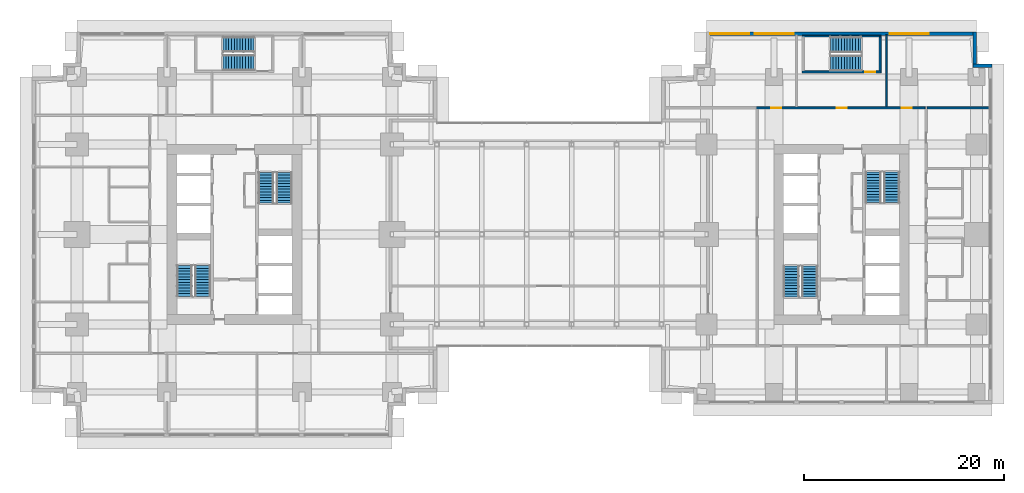
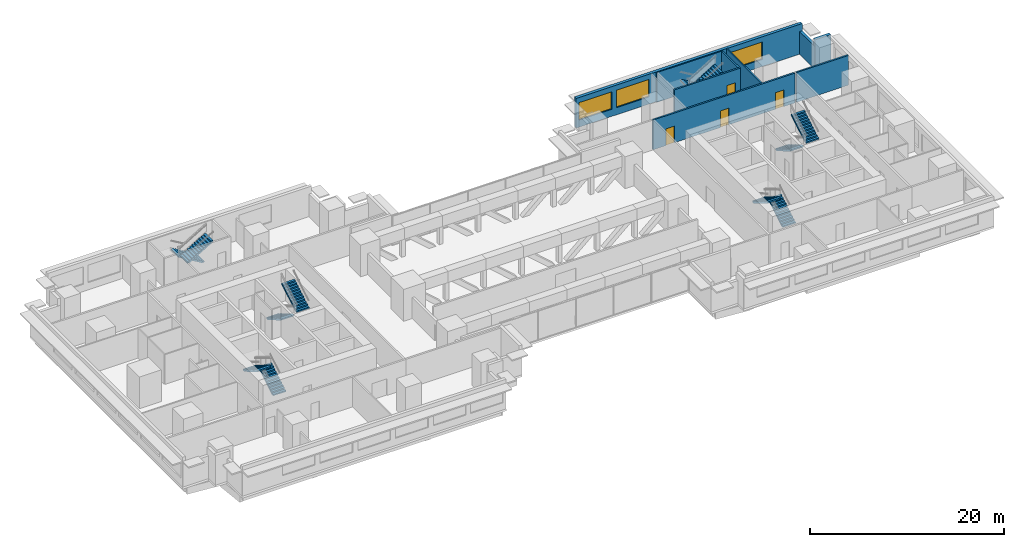
# One storey, part 12 of 15: 12 stair flights, 9 walls, 4 doors, 3 windows, 7 openings, 6 elements without a shape of their own.
"""IFC4 building model written with IfcOpenShell, lengths in metres."""

from ifc_helpers import new_model, si_unit, direction, frame, frame_2d, origin, place, context, subcontext, project, spatial, polyline, rectangle, outline, extrude, material, layer, layer_set, type_object, element, fill, aggregate, save


model = new_model("IFC4")

# Units and contexts
model_context = context("Model", 3, precision=1e-05, world=origin(), true_north=direction((0.0, 1.0)))
body_context = subcontext(model_context, "Body", "Model", "MODEL_VIEW")
ifc_project = project(units=[si_unit("LENGTHUNIT", "METRE"), si_unit("AREAUNIT", "SQUARE_METRE"), si_unit("VOLUMEUNIT", "CUBIC_METRE"), si_unit("PLANEANGLEUNIT", "RADIAN"), si_unit("MASSUNIT", "GRAM", prefix="KILO")], contexts=[model_context])

# Site, building, storey
site_placement = place(None, origin())
site = spatial("IfcSite", under=ifc_project, at=site_placement, CompositionType="ELEMENT")
building_placement = place(site_placement, origin())
building = spatial("IfcBuilding", under=site, at=building_placement, Name="Namib Vertical Campus", CompositionType="ELEMENT")
storey_placement = place(building_placement, frame((0.0, 0.0, 105.0)))
storey = spatial("IfcBuildingStorey", under=building, at=storey_placement, Name="L24", CompositionType="ELEMENT", Elevation=105.0)

# Wall, openings, doors
ifc_material_1 = material(Name="Concrete masonry", Category="masonry")
ifc_layer_1 = layer(ifc_material_1, 0.199951171875)
ifc_layer_set_1 = layer_set([ifc_layer_1], Name="Corridor wall 200")
wall_type_1 = type_object("IfcWallType", Name="Corridor wall 200", PredefinedType="SOLIDWALL", material=ifc_layer_set_1)
wall_1_placement = place(storey_placement, frame((89.35009765625, 32.89990234375, 0.0), z_axis=(0.0, 0.0, 1.0), x_axis=(-1.0, 0.0, 0.0)))
wall_1 = element("IfcWall", 1, at=wall_1_placement, inside=storey, type_object=wall_type_1, Name="Corridor wall B L24 CN", PredefinedType="SOLIDWALL", context=body_context, shape_type="SweptSolid", body=[
    extrude(rectangle(XDim=16.900146484375, YDim=0.199951171875, at=frame_2d((8.4501953125, 0.0))), origin(), (0.0, 0.0, 1.0), 3.75),
])
opening_1_placement = place(wall_1_placement, frame((14.375, 0.0, 0.0)))
opening_1 = element("IfcOpeningElement", 2, at=opening_1_placement, cuts=wall_1, Name="Opening CD1", PredefinedType="OPENING", context=body_context, shape_type="SweptSolid", body=[
    extrude(rectangle(XDim=1.0, YDim=2.10009765625, at=frame_2d((0.5, 1.050048828125))), frame((0.0, 0.10986328125, 0.0), z_axis=(0.0, -1.0, 0.0), x_axis=(1.0, 0.0, 0.0)), (0.0, 0.0, 1.0), 0.219970703125),
])
opening_2_placement = place(wall_1_placement, frame((7.85009765625, 0.0, 0.0)))
opening_2 = element("IfcOpeningElement", 3, at=opening_2_placement, cuts=wall_1, Name="Opening CD1", PredefinedType="OPENING", context=body_context, shape_type="SweptSolid", body=[
    extrude(rectangle(XDim=1.0, YDim=2.10009765625, at=frame_2d((0.5, 1.050048828125))), frame((0.0, 0.10986328125, 0.0), z_axis=(0.0, -1.0, 0.0), x_axis=(1.0, 0.0, 0.0)), (0.0, 0.0, 1.0), 0.219970703125),
])
opening_3_placement = place(wall_1_placement, frame((1.324951171875, 0.0, 0.0)))
opening_3 = element("IfcOpeningElement", 4, at=opening_3_placement, cuts=wall_1, Name="Opening CD1", PredefinedType="OPENING", context=body_context, shape_type="SweptSolid", body=[
    extrude(rectangle(XDim=1.0, YDim=2.10009765625, at=frame_2d((0.5, 1.050048828125))), frame((0.0, 0.10986328125, 0.0), z_axis=(0.0, -1.0, 0.0), x_axis=(1.0, 0.0, 0.0)), (0.0, 0.0, 1.0), 0.219970703125),
])
ifc_material_2 = material(Name="Timber fire door leaf", Category="wood")
door_type_1 = type_object("IfcDoorType", Name="Corridor door 1000x2100 20 min", OperationType="SINGLE_SWING_LEFT", PredefinedType="DOOR", material=ifc_material_2)
door_1_placement = place(opening_1_placement, frame((1.0, 0.0, 0.0), z_axis=(0.0, 0.0, 1.0), x_axis=(-1.0, 0.0, 0.0)))
door_1 = element("IfcDoor", 5, at=door_1_placement, inside=storey, type_object=door_type_1, Name="Door CD1 B24-11", OperationType="SINGLE_SWING_RIGHT", OverallHeight=2.10009765625, OverallWidth=1.0, PredefinedType="DOOR", context=body_context, shape_type="SweptSolid", body=[
    extrude(rectangle(XDim=1.0, YDim=2.10009765625, at=frame_2d((0.5, 1.050048828125))), frame((0.0, 0.02490234375, 0.0), z_axis=(0.0, -1.0, 0.0), x_axis=(1.0, 0.0, 0.0)), (0.0, 0.0, 1.0), 0.050048828125),
])
fill(opening_1, door_1)
door_2_placement = place(opening_2_placement, frame((1.0, 0.0, 0.0), z_axis=(0.0, 0.0, 1.0), x_axis=(-1.0, 0.0, 0.0)))
door_2 = element("IfcDoor", 6, at=door_2_placement, inside=storey, type_object=door_type_1, Name="Door CD1 B24-12", OperationType="SINGLE_SWING_RIGHT", OverallHeight=2.10009765625, OverallWidth=1.0, PredefinedType="DOOR", context=body_context, shape_type="SweptSolid", body=[
    extrude(rectangle(XDim=1.0, YDim=2.10009765625, at=frame_2d((0.5, 1.050048828125))), frame((0.0, 0.02490234375, 0.0), z_axis=(0.0, -1.0, 0.0), x_axis=(1.0, 0.0, 0.0)), (0.0, 0.0, 1.0), 0.050048828125),
])
fill(opening_2, door_2)
door_3_placement = place(opening_3_placement, frame((1.0, 0.0, 0.0), z_axis=(0.0, 0.0, 1.0), x_axis=(-1.0, 0.0, 0.0)))
door_3 = element("IfcDoor", 7, at=door_3_placement, inside=storey, type_object=door_type_1, Name="Door CD1 B24-13", OperationType="SINGLE_SWING_LEFT", OverallHeight=2.10009765625, OverallWidth=1.0, PredefinedType="DOOR", context=body_context, shape_type="SweptSolid", body=[
    extrude(rectangle(XDim=1.0, YDim=2.10009765625, at=frame_2d((0.5, 1.050048828125))), frame((0.0, 0.02490234375, 0.0), z_axis=(0.0, -1.0, 0.0), x_axis=(1.0, 0.0, 0.0)), (0.0, 0.0, 1.0), 0.050048828125),
])
fill(opening_3, door_3)

# Walls
wall_2_placement = place(storey_placement, frame((89.550048828125, 32.89990234375, 0.0), z_axis=(0.0, 0.0, 1.0), x_axis=(1.0, 0.0, 0.0)))
element("IfcWall", 8, at=wall_2_placement, inside=storey, type_object=wall_type_1, Name="Partition B L24 BNE", PredefinedType="SOLIDWALL", context=body_context, shape_type="SweptSolid", body=[
    extrude(rectangle(XDim=6.199951171875, YDim=0.199951171875, at=frame_2d((3.10009765625, 0.0))), origin(), (0.0, 0.0, 1.0), 3.75),
])
ifc_material_3 = material(Name="Concrete C40/50", Category="concrete")
ifc_layer_2 = layer(ifc_material_3, 0.35009765625)
ifc_layer_set_2 = layer_set([ifc_layer_2], Name="Concrete C40/50")
wall_type_2 = type_object("IfcWallType", Name="External wall 350 bush-hammered concrete", PredefinedType="STANDARD", material=ifc_layer_set_2)
wall_3_placement = place(storey_placement, frame((96.030029296875, 37.125, 0.0), z_axis=(0.0, 0.0, 1.0), x_axis=(-1.0, 0.0, 0.0)))
element("IfcWall", 9, at=wall_3_placement, inside=storey, type_object=wall_type_2, Name="External wall L24 F06", PredefinedType="STANDARD", context=body_context, shape_type="SweptSolid", body=[
    extrude(rectangle(XDim=1.860107421875, YDim=0.35009765625, at=frame_2d((0.93017578125, 0.0))), origin(), (0.0, 0.0, 1.0), 3.75),
])
wall_4_placement = place(storey_placement, frame((94.324951171875, 36.969970703125, 0.0), z_axis=(0.0, 0.0, 1.0), x_axis=(0.0, 1.0, 0.0)))
element("IfcWall", 10, at=wall_4_placement, inside=storey, type_object=wall_type_2, Name="External wall L24 F07", PredefinedType="STANDARD", context=body_context, shape_type="SweptSolid", body=[
    extrude(rectangle(XDim=3.510009765625, YDim=0.35009765625, at=frame_2d((1.7548828125, 0.0))), origin(), (0.0, 0.0, 1.0), 2.85009765625),
])

# Wall, openings, windows
wall_5_placement = place(storey_placement, frame((94.47998046875, 40.324951171875, 0.0), z_axis=(0.0, 0.0, 1.0), x_axis=(-1.0, 0.0, 0.0)))
wall_5 = element("IfcWall", 11, at=wall_5_placement, inside=storey, type_object=wall_type_2, Name="External wall L24 F08", PredefinedType="STANDARD", context=body_context, shape_type="SweptSolid", body=[
    extrude(rectangle(XDim=26.9599609375, YDim=0.35009765625, at=frame_2d((13.47998046875, 0.0))), origin(), (0.0, 0.0, 1.0), 3.75),
])
opening_4_placement = place(wall_5_placement, frame((22.7099609375, 0.0, 0.89990234375)))
opening_4 = element("IfcOpeningElement", 12, at=opening_4_placement, cuts=wall_5, Name="Opening W1", PredefinedType="OPENING", context=body_context, shape_type="SweptSolid", body=[
    extrude(rectangle(XDim=3.89990234375, YDim=2.199951171875, at=frame_2d((1.949951171875, 1.10009765625))), frame((0.0, 0.18505859375, 0.0), z_axis=(0.0, -1.0, 0.0), x_axis=(1.0, 0.0, 0.0)), (0.0, 0.0, 1.0), 0.3701171875),
])
opening_5_placement = place(wall_5_placement, frame((18.280029296875, 0.0, 0.89990234375)))
opening_5 = element("IfcOpeningElement", 13, at=opening_5_placement, cuts=wall_5, Name="Opening W1", PredefinedType="OPENING", context=body_context, shape_type="SweptSolid", body=[
    extrude(rectangle(XDim=3.89990234375, YDim=2.199951171875, at=frame_2d((1.949951171875, 1.10009765625))), frame((0.0, 0.18505859375, 0.0), z_axis=(0.0, -1.0, 0.0), x_axis=(1.0, 0.0, 0.0)), (0.0, 0.0, 1.0), 0.3701171875),
])
opening_6_placement = place(wall_5_placement, frame((4.780029296875, 0.0, 0.89990234375)))
opening_6 = element("IfcOpeningElement", 14, at=opening_6_placement, cuts=wall_5, Name="Opening W1", PredefinedType="OPENING", context=body_context, shape_type="SweptSolid", body=[
    extrude(rectangle(XDim=3.89990234375, YDim=2.199951171875, at=frame_2d((1.949951171875, 1.10009765625))), frame((0.0, 0.18505859375, 0.0), z_axis=(0.0, -1.0, 0.0), x_axis=(1.0, 0.0, 0.0)), (0.0, 0.0, 1.0), 0.3701171875),
])
ifc_material_4 = material(Name="Dark tinted glass in black aluminium frame", Category="aluminium")
window_type = type_object("IfcWindowType", Name="Ribbon window 3900x2200", PartitioningType="SINGLE_PANEL", PredefinedType="WINDOW", material=ifc_material_4)
window_1_placement = place(opening_4_placement, origin())
window_1 = element("IfcWindow", 15, at=window_1_placement, inside=storey, type_object=window_type, Name="Window W1 L24 F08-1", OverallHeight=2.199951171875, OverallWidth=3.89990234375, PartitioningType="SINGLE_PANEL", PredefinedType="WINDOW", context=body_context, shape_type="SweptSolid", body=[
    extrude(rectangle(XDim=3.89990234375, YDim=2.199951171875, at=frame_2d((1.949951171875, 1.10009765625))), frame((0.0, 0.030029296875, 0.0), z_axis=(0.0, -1.0, 0.0), x_axis=(1.0, 0.0, 0.0)), (0.0, 0.0, 1.0), 0.06005859375),
])
fill(opening_4, window_1)
window_2_placement = place(opening_5_placement, origin())
window_2 = element("IfcWindow", 16, at=window_2_placement, inside=storey, type_object=window_type, Name="Window W1 L24 F08-2", OverallHeight=2.199951171875, OverallWidth=3.89990234375, PartitioningType="SINGLE_PANEL", PredefinedType="WINDOW", context=body_context, shape_type="SweptSolid", body=[
    extrude(rectangle(XDim=3.89990234375, YDim=2.199951171875, at=frame_2d((1.949951171875, 1.10009765625))), frame((0.0, 0.030029296875, 0.0), z_axis=(0.0, -1.0, 0.0), x_axis=(1.0, 0.0, 0.0)), (0.0, 0.0, 1.0), 0.06005859375),
])
fill(opening_5, window_2)
window_3_placement = place(opening_6_placement, origin())
window_3 = element("IfcWindow", 17, at=window_3_placement, inside=storey, type_object=window_type, Name="Window W1 L24 F08-5", OverallHeight=2.199951171875, OverallWidth=3.89990234375, PartitioningType="SINGLE_PANEL", PredefinedType="WINDOW", context=body_context, shape_type="SweptSolid", body=[
    extrude(rectangle(XDim=3.89990234375, YDim=2.199951171875, at=frame_2d((1.949951171875, 1.10009765625))), frame((0.0, 0.030029296875, 0.0), z_axis=(0.0, -1.0, 0.0), x_axis=(1.0, 0.0, 0.0)), (0.0, 0.0, 1.0), 0.06005859375),
])
fill(opening_6, window_3)

# Walls
ifc_material_5 = material(Name="Gypsum board on steel studs", Category="steel")
ifc_layer_3 = layer(ifc_material_5, 0.14990234375)
ifc_layer_set_3 = layer_set([ifc_layer_3], Name="Gypsum board on steel studs")
wall_type_3 = type_object("IfcWallType", Name="Partition 150", PredefinedType="PARTITIONING", material=ifc_layer_set_3)
wall_6_placement = place(storey_placement, frame((85.5, 33.0, 0.0), z_axis=(0.0, 0.0, 1.0), x_axis=(0.0, 1.0, 0.0)))
element("IfcWall", 18, at=wall_6_placement, inside=storey, type_object=wall_type_3, Name="Partition B L24 PN2", PredefinedType="PARTITIONING", context=body_context, shape_type="SweptSolid", body=[
    extrude(rectangle(XDim=7.199951171875, YDim=0.14990234375, at=frame_2d((3.60009765625, 0.0))), origin(), (0.0, 0.0, 1.0), 3.75),
])
ifc_material_6 = material(Name="Concrete C40/50", Category="concrete")
ifc_layer_4 = layer(ifc_material_6, 0.14990234375)
ifc_layer_set_4 = layer_set([ifc_layer_4], Name="Concrete C40/50")
wall_type_4 = type_object("IfcWallType", Name="Stair enclosure wall RC 150", PredefinedType="SOLIDWALL", material=ifc_layer_set_4)
wall_7_placement = place(storey_placement, frame((77.050048828125, 40.074951171875, 0.0), z_axis=(0.0, 0.0, 1.0), x_axis=(1.0, 0.0, 0.0)))
element("IfcWall", 19, at=wall_7_placement, inside=storey, type_object=wall_type_4, Name="Stair enclosure wall B-S3 L24 N", PredefinedType="SOLIDWALL", context=body_context, shape_type="SweptSolid", body=[
    extrude(rectangle(XDim=7.89990234375, YDim=0.14990234375, at=frame_2d((3.949951171875, 0.0))), origin(), (0.0, 0.0, 1.0), 3.75),
])

# Wall, opening, door
ifc_material_7 = material(Name="Concrete C40/50", Category="concrete")
ifc_layer_5 = layer(ifc_material_7, 0.199951171875)
ifc_layer_set_5 = layer_set([ifc_layer_5], Name="Concrete C40/50")
wall_type_5 = type_object("IfcWallType", Name="Stair enclosure wall RC 200", PredefinedType="SOLIDWALL", material=ifc_layer_set_5)
wall_8_placement = place(storey_placement, frame((77.050048828125, 36.5, 0.0), z_axis=(0.0, 0.0, 1.0), x_axis=(1.0, 0.0, 0.0)))
wall_8 = element("IfcWall", 20, at=wall_8_placement, inside=storey, type_object=wall_type_5, Name="Stair enclosure wall B-S3 L24 S", PredefinedType="SOLIDWALL", context=body_context, shape_type="SweptSolid", body=[
    extrude(rectangle(XDim=7.89990234375, YDim=0.199951171875, at=frame_2d((3.949951171875, 0.0))), origin(), (0.0, 0.0, 1.0), 3.75),
])
opening_7_placement = place(wall_8_placement, frame((6.300048828125, 0.0, 0.0)))
opening_7 = element("IfcOpeningElement", 21, at=opening_7_placement, cuts=wall_8, Name="Opening FD1", PredefinedType="OPENING", context=body_context, shape_type="SweptSolid", body=[
    extrude(rectangle(XDim=1.0, YDim=2.10009765625, at=frame_2d((0.5, 1.050048828125))), frame((0.0, 0.10986328125, 0.0), z_axis=(0.0, -1.0, 0.0), x_axis=(1.0, 0.0, 0.0)), (0.0, 0.0, 1.0), 0.219970703125),
])
ifc_material_8 = material(Name="Steel fire door", Category="steel")
door_type_2 = type_object("IfcDoorType", Name="Fire door 1000x2100", OperationType="SINGLE_SWING_RIGHT", PredefinedType="DOOR", material=ifc_material_8)
door_4_placement = place(opening_7_placement, origin())
door_4 = element("IfcDoor", 22, at=door_4_placement, inside=storey, type_object=door_type_2, Name="Stair door FD1 B L24 S3", OperationType="SINGLE_SWING_RIGHT", OverallHeight=2.10009765625, OverallWidth=1.0, PredefinedType="DOOR", context=body_context, shape_type="SweptSolid", body=[
    extrude(rectangle(XDim=1.0, YDim=2.10009765625, at=frame_2d((0.5, 1.050048828125))), frame((0.0, 0.02490234375, 0.0), z_axis=(0.0, -1.0, 0.0), x_axis=(1.0, 0.0, 0.0)), (0.0, 0.0, 1.0), 0.050048828125),
])
fill(opening_7, door_4)

# Wall
wall_9_placement = place(storey_placement, frame((84.85009765625, 36.60009765625, 0.0), z_axis=(0.0, 0.0, 1.0), x_axis=(0.0, 1.0, 0.0)))
element("IfcWall", 23, at=wall_9_placement, inside=storey, type_object=wall_type_5, Name="Stair enclosure wall B-S3 L24 E", PredefinedType="SOLIDWALL", context=body_context, shape_type="SweptSolid", body=[
    extrude(rectangle(XDim=3.39990234375, YDim=0.199951171875, at=frame_2d((1.699951171875, 0.0))), origin(), (0.0, 0.0, 1.0), 3.75),
])

# Stair, stair flights
ifc_material_9 = material(Name="Concrete C40/50 precast", Category="concrete")
stair_type_1 = type_object("IfcStairType", Name="Exit stair 4000 rise 24 risers 3350 wide", PredefinedType="HALF_TURN_STAIR", material=ifc_material_9)
stair_1_placement = place(storey_placement, origin())
stair_1 = element("IfcStair", 24, at=stair_1_placement, inside=storey, type_object=stair_type_1, Name="Exit stair A-S1 L24", PredefinedType="HALF_TURN_STAIR")
ifc_material_10 = material(Name="Concrete C40/50 precast", Category="concrete")
stair_flight_type_1 = type_object("IfcStairFlightType", Name="Stair flight 12 risers 167 1525 wide", PredefinedType="STRAIGHT", material=ifc_material_10)
stair_flight_1_placement = place(storey_placement, frame((17.08740234375, 14.050048828125, 0.0), z_axis=(0.0, 0.0, 1.0), x_axis=(0.0, 1.0, 0.0)))
stair_flight_1 = element("IfcStairFlight", 25, at=stair_flight_1_placement, type_object=stair_flight_type_1, Name="A-S1 flight 1", NumberOfRisers=12, NumberOfTreads=11, PredefinedType="STRAIGHT", RiserHeight=0.166666667, TreadLength=0.28, context=body_context, shape_type="SweptSolid", body=[
    extrude(outline(polyline([(0.0, 0.0), (0.0, 0.166748046875), (0.280029296875, 0.166748046875), (0.280029296875, 0.333251953125), (0.56005859375, 0.333251953125), (0.56005859375, 0.5), (0.840087890625, 0.5), (0.840087890625, 0.666748046875), (1.1201171875, 0.666748046875), (1.1201171875, 0.833251953125), (1.39990234375, 0.833251953125), (1.39990234375, 1.0), (1.679931640625, 1.0), (1.679931640625, 1.166748046875), (1.9599609375, 1.166748046875), (1.9599609375, 1.333251953125), (2.239990234375, 1.333251953125), (2.239990234375, 1.5), (2.52001953125, 1.5), (2.52001953125, 1.666748046875), (2.800048828125, 1.666748046875), (2.800048828125, 1.833251953125), (3.080078125, 1.833251953125), (3.080078125, 2.0), (3.080078125, 1.658935546875), (0.29296875, 0.0), (0.0, 0.0)])), frame((0.0, 0.762451171875, 0.0), z_axis=(0.0, -1.0, 0.0), x_axis=(1.0, 0.0, 0.0)), (0.0, 0.0, 1.0), 1.52490234375),
])
stair_flight_2_placement = place(storey_placement, frame((15.262451171875, 17.1298828125, 2.0), z_axis=(0.0, 0.0, 1.0), x_axis=(0.0, -1.0, 0.0)))
stair_flight_2 = element("IfcStairFlight", 26, at=stair_flight_2_placement, type_object=stair_flight_type_1, Name="A-S1 flight 2", NumberOfRisers=12, NumberOfTreads=11, PredefinedType="STRAIGHT", RiserHeight=0.166666667, TreadLength=0.28, context=body_context, shape_type="SweptSolid", body=[
    extrude(outline(polyline([(0.0, 0.0), (0.0, 0.166748046875), (0.280029296875, 0.166748046875), (0.280029296875, 0.333251953125), (0.56005859375, 0.333251953125), (0.56005859375, 0.5), (0.840087890625, 0.5), (0.840087890625, 0.666748046875), (1.1201171875, 0.666748046875), (1.1201171875, 0.833251953125), (1.39990234375, 0.833251953125), (1.39990234375, 1.0), (1.679931640625, 1.0), (1.679931640625, 1.166748046875), (1.9599609375, 1.166748046875), (1.9599609375, 1.333251953125), (2.239990234375, 1.333251953125), (2.239990234375, 1.5), (2.52001953125, 1.5), (2.52001953125, 1.666748046875), (2.800048828125, 1.666748046875), (2.800048828125, 1.833251953125), (3.080078125, 1.833251953125), (3.080078125, 2.0), (3.080078125, 1.658935546875), (0.29296875, 0.0), (0.0, 0.0)])), frame((0.0, 0.762451171875, 0.0), z_axis=(0.0, -1.0, 0.0), x_axis=(1.0, 0.0, 0.0)), (0.0, 0.0, 1.0), 1.52490234375),
])
aggregate(stair_1, [stair_flight_1, stair_flight_2])

stair_2_placement = place(storey_placement, origin())
stair_2 = element("IfcStair", 27, at=stair_2_placement, inside=storey, type_object=stair_type_1, Name="Exit stair A-S2 L24", PredefinedType="HALF_TURN_STAIR")
stair_flight_3_placement = place(storey_placement, frame((23.41259765625, 26.449951171875, 0.0), z_axis=(0.0, 0.0, 1.0), x_axis=(0.0, -1.0, 0.0)))
stair_flight_3 = element("IfcStairFlight", 28, at=stair_flight_3_placement, type_object=stair_flight_type_1, Name="A-S2 flight 1", NumberOfRisers=12, NumberOfTreads=11, PredefinedType="STRAIGHT", RiserHeight=0.166666667, TreadLength=0.28, context=body_context, shape_type="SweptSolid", body=[
    extrude(outline(polyline([(0.0, 0.0), (0.0, 0.166748046875), (0.280029296875, 0.166748046875), (0.280029296875, 0.333251953125), (0.56005859375, 0.333251953125), (0.56005859375, 0.5), (0.840087890625, 0.5), (0.840087890625, 0.666748046875), (1.1201171875, 0.666748046875), (1.1201171875, 0.833251953125), (1.39990234375, 0.833251953125), (1.39990234375, 1.0), (1.679931640625, 1.0), (1.679931640625, 1.166748046875), (1.9599609375, 1.166748046875), (1.9599609375, 1.333251953125), (2.239990234375, 1.333251953125), (2.239990234375, 1.5), (2.52001953125, 1.5), (2.52001953125, 1.666748046875), (2.800048828125, 1.666748046875), (2.800048828125, 1.833251953125), (3.080078125, 1.833251953125), (3.080078125, 2.0), (3.080078125, 1.658935546875), (0.29296875, 0.0), (0.0, 0.0)])), frame((0.0, 0.762451171875, 0.0), z_axis=(0.0, -1.0, 0.0), x_axis=(1.0, 0.0, 0.0)), (0.0, 0.0, 1.0), 1.52490234375),
])
stair_flight_4_placement = place(storey_placement, frame((25.237548828125, 23.3701171875, 2.0), z_axis=(0.0, 0.0, 1.0), x_axis=(0.0, 1.0, 0.0)))
stair_flight_4 = element("IfcStairFlight", 29, at=stair_flight_4_placement, type_object=stair_flight_type_1, Name="A-S2 flight 2", NumberOfRisers=12, NumberOfTreads=11, PredefinedType="STRAIGHT", RiserHeight=0.166666667, TreadLength=0.28, context=body_context, shape_type="SweptSolid", body=[
    extrude(outline(polyline([(0.0, 0.0), (0.0, 0.166748046875), (0.280029296875, 0.166748046875), (0.280029296875, 0.333251953125), (0.56005859375, 0.333251953125), (0.56005859375, 0.5), (0.840087890625, 0.5), (0.840087890625, 0.666748046875), (1.1201171875, 0.666748046875), (1.1201171875, 0.833251953125), (1.39990234375, 0.833251953125), (1.39990234375, 1.0), (1.679931640625, 1.0), (1.679931640625, 1.166748046875), (1.9599609375, 1.166748046875), (1.9599609375, 1.333251953125), (2.239990234375, 1.333251953125), (2.239990234375, 1.5), (2.52001953125, 1.5), (2.52001953125, 1.666748046875), (2.800048828125, 1.666748046875), (2.800048828125, 1.833251953125), (3.080078125, 1.833251953125), (3.080078125, 2.0), (3.080078125, 1.658935546875), (0.29296875, 0.0), (0.0, 0.0)])), frame((0.0, 0.762451171875, 0.0), z_axis=(0.0, -1.0, 0.0), x_axis=(1.0, 0.0, 0.0)), (0.0, 0.0, 1.0), 1.52490234375),
])
aggregate(stair_2, [stair_flight_3, stair_flight_4])

stair_3_placement = place(storey_placement, origin())
stair_3 = element("IfcStair", 30, at=stair_3_placement, inside=storey, type_object=stair_type_1, Name="Exit stair A-S3 L24", PredefinedType="HALF_TURN_STAIR")
stair_flight_5_placement = place(storey_placement, frame((22.199951171875, 39.237548828125, 0.0), z_axis=(0.0, 0.0, 1.0), x_axis=(-1.0, 0.0, 0.0)))
stair_flight_5 = element("IfcStairFlight", 31, at=stair_flight_5_placement, type_object=stair_flight_type_1, Name="A-S3 flight 1", NumberOfRisers=12, NumberOfTreads=11, PredefinedType="STRAIGHT", RiserHeight=0.166666667, TreadLength=0.28, context=body_context, shape_type="SweptSolid", body=[
    extrude(outline(polyline([(0.0, 0.0), (0.0, 0.166748046875), (0.280029296875, 0.166748046875), (0.280029296875, 0.333251953125), (0.56005859375, 0.333251953125), (0.56005859375, 0.5), (0.840087890625, 0.5), (0.840087890625, 0.666748046875), (1.1201171875, 0.666748046875), (1.1201171875, 0.833251953125), (1.39990234375, 0.833251953125), (1.39990234375, 1.0), (1.679931640625, 1.0), (1.679931640625, 1.166748046875), (1.9599609375, 1.166748046875), (1.9599609375, 1.333251953125), (2.239990234375, 1.333251953125), (2.239990234375, 1.5), (2.52001953125, 1.5), (2.52001953125, 1.666748046875), (2.800048828125, 1.666748046875), (2.800048828125, 1.833251953125), (3.080078125, 1.833251953125), (3.080078125, 2.0), (3.080078125, 1.658935546875), (0.29296875, 0.0), (0.0, 0.0)])), frame((0.0, 0.762451171875, 0.0), z_axis=(0.0, -1.0, 0.0), x_axis=(1.0, 0.0, 0.0)), (0.0, 0.0, 1.0), 1.52490234375),
])
stair_flight_6_placement = place(storey_placement, frame((19.1201171875, 37.41259765625, 2.0), z_axis=(0.0, 0.0, 1.0), x_axis=(1.0, 0.0, 0.0)))
stair_flight_6 = element("IfcStairFlight", 32, at=stair_flight_6_placement, type_object=stair_flight_type_1, Name="A-S3 flight 2", NumberOfRisers=12, NumberOfTreads=11, PredefinedType="STRAIGHT", RiserHeight=0.166666667, TreadLength=0.28, context=body_context, shape_type="SweptSolid", body=[
    extrude(outline(polyline([(0.0, 0.0), (0.0, 0.166748046875), (0.280029296875, 0.166748046875), (0.280029296875, 0.333251953125), (0.56005859375, 0.333251953125), (0.56005859375, 0.5), (0.840087890625, 0.5), (0.840087890625, 0.666748046875), (1.1201171875, 0.666748046875), (1.1201171875, 0.833251953125), (1.39990234375, 0.833251953125), (1.39990234375, 1.0), (1.679931640625, 1.0), (1.679931640625, 1.166748046875), (1.9599609375, 1.166748046875), (1.9599609375, 1.333251953125), (2.239990234375, 1.333251953125), (2.239990234375, 1.5), (2.52001953125, 1.5), (2.52001953125, 1.666748046875), (2.800048828125, 1.666748046875), (2.800048828125, 1.833251953125), (3.080078125, 1.833251953125), (3.080078125, 2.0), (3.080078125, 1.658935546875), (0.29296875, 0.0), (0.0, 0.0)])), frame((0.0, 0.762451171875, 0.0), z_axis=(0.0, -1.0, 0.0), x_axis=(1.0, 0.0, 0.0)), (0.0, 0.0, 1.0), 1.52490234375),
])
aggregate(stair_3, [stair_flight_5, stair_flight_6])

ifc_material_11 = material(Name="Concrete C40/50 precast", Category="concrete")
stair_type_2 = type_object("IfcStairType", Name="Exit stair 4000 rise 24 risers 3400 wide", PredefinedType="HALF_TURN_STAIR", material=ifc_material_11)
stair_4_placement = place(storey_placement, origin())
stair_4 = element("IfcStair", 33, at=stair_4_placement, inside=storey, type_object=stair_type_2, Name="Exit stair B-S1 L24", PredefinedType="HALF_TURN_STAIR")
ifc_material_12 = material(Name="Concrete C40/50 precast", Category="concrete")
stair_flight_type_2 = type_object("IfcStairFlightType", Name="Stair flight 12 risers 167 1550 wide", PredefinedType="STRAIGHT", material=ifc_material_12)
stair_flight_7_placement = place(storey_placement, frame((77.824951171875, 14.0, 0.0), z_axis=(0.0, 0.0, 1.0), x_axis=(0.0, 1.0, 0.0)))
stair_flight_7 = element("IfcStairFlight", 34, at=stair_flight_7_placement, type_object=stair_flight_type_2, Name="B-S1 flight 1", NumberOfRisers=12, NumberOfTreads=11, PredefinedType="STRAIGHT", RiserHeight=0.166666667, TreadLength=0.28, context=body_context, shape_type="SweptSolid", body=[
    extrude(outline(polyline([(0.0, 0.0), (0.0, 0.166748046875), (0.280029296875, 0.166748046875), (0.280029296875, 0.333251953125), (0.56005859375, 0.333251953125), (0.56005859375, 0.5), (0.840087890625, 0.5), (0.840087890625, 0.666748046875), (1.1201171875, 0.666748046875), (1.1201171875, 0.833251953125), (1.39990234375, 0.833251953125), (1.39990234375, 1.0), (1.679931640625, 1.0), (1.679931640625, 1.166748046875), (1.9599609375, 1.166748046875), (1.9599609375, 1.333251953125), (2.239990234375, 1.333251953125), (2.239990234375, 1.5), (2.52001953125, 1.5), (2.52001953125, 1.666748046875), (2.800048828125, 1.666748046875), (2.800048828125, 1.833251953125), (3.080078125, 1.833251953125), (3.080078125, 2.0), (3.080078125, 1.658935546875), (0.29296875, 0.0), (0.0, 0.0)])), frame((0.0, 0.77490234375, 0.0), z_axis=(0.0, -1.0, 0.0), x_axis=(1.0, 0.0, 0.0)), (0.0, 0.0, 1.0), 1.550048828125),
])
stair_flight_8_placement = place(storey_placement, frame((75.97509765625, 17.080078125, 2.0), z_axis=(0.0, 0.0, 1.0), x_axis=(0.0, -1.0, 0.0)))
stair_flight_8 = element("IfcStairFlight", 35, at=stair_flight_8_placement, type_object=stair_flight_type_2, Name="B-S1 flight 2", NumberOfRisers=12, NumberOfTreads=11, PredefinedType="STRAIGHT", RiserHeight=0.166666667, TreadLength=0.28, context=body_context, shape_type="SweptSolid", body=[
    extrude(outline(polyline([(0.0, 0.0), (0.0, 0.166748046875), (0.280029296875, 0.166748046875), (0.280029296875, 0.333251953125), (0.56005859375, 0.333251953125), (0.56005859375, 0.5), (0.840087890625, 0.5), (0.840087890625, 0.666748046875), (1.1201171875, 0.666748046875), (1.1201171875, 0.833251953125), (1.39990234375, 0.833251953125), (1.39990234375, 1.0), (1.679931640625, 1.0), (1.679931640625, 1.166748046875), (1.9599609375, 1.166748046875), (1.9599609375, 1.333251953125), (2.239990234375, 1.333251953125), (2.239990234375, 1.5), (2.52001953125, 1.5), (2.52001953125, 1.666748046875), (2.800048828125, 1.666748046875), (2.800048828125, 1.833251953125), (3.080078125, 1.833251953125), (3.080078125, 2.0), (3.080078125, 1.658935546875), (0.29296875, 0.0), (0.0, 0.0)])), frame((0.0, 0.77490234375, 0.0), z_axis=(0.0, -1.0, 0.0), x_axis=(1.0, 0.0, 0.0)), (0.0, 0.0, 1.0), 1.550048828125),
])
aggregate(stair_4, [stair_flight_7, stair_flight_8])

stair_5_placement = place(storey_placement, origin())
stair_5 = element("IfcStair", 36, at=stair_5_placement, inside=storey, type_object=stair_type_2, Name="Exit stair B-S2 L24", PredefinedType="HALF_TURN_STAIR")
stair_flight_9_placement = place(storey_placement, frame((84.175048828125, 26.5, 0.0), z_axis=(0.0, 0.0, 1.0), x_axis=(0.0, -1.0, 0.0)))
stair_flight_9 = element("IfcStairFlight", 37, at=stair_flight_9_placement, type_object=stair_flight_type_2, Name="B-S2 flight 1", NumberOfRisers=12, NumberOfTreads=11, PredefinedType="STRAIGHT", RiserHeight=0.166666667, TreadLength=0.28, context=body_context, shape_type="SweptSolid", body=[
    extrude(outline(polyline([(0.0, 0.0), (0.0, 0.166748046875), (0.280029296875, 0.166748046875), (0.280029296875, 0.333251953125), (0.56005859375, 0.333251953125), (0.56005859375, 0.5), (0.840087890625, 0.5), (0.840087890625, 0.666748046875), (1.1201171875, 0.666748046875), (1.1201171875, 0.833251953125), (1.39990234375, 0.833251953125), (1.39990234375, 1.0), (1.679931640625, 1.0), (1.679931640625, 1.166748046875), (1.9599609375, 1.166748046875), (1.9599609375, 1.333251953125), (2.239990234375, 1.333251953125), (2.239990234375, 1.5), (2.52001953125, 1.5), (2.52001953125, 1.666748046875), (2.800048828125, 1.666748046875), (2.800048828125, 1.833251953125), (3.080078125, 1.833251953125), (3.080078125, 2.0), (3.080078125, 1.658935546875), (0.29296875, 0.0), (0.0, 0.0)])), frame((0.0, 0.77490234375, 0.0), z_axis=(0.0, -1.0, 0.0), x_axis=(1.0, 0.0, 0.0)), (0.0, 0.0, 1.0), 1.550048828125),
])
stair_flight_10_placement = place(storey_placement, frame((86.02490234375, 23.419921875, 2.0), z_axis=(0.0, 0.0, 1.0), x_axis=(0.0, 1.0, 0.0)))
stair_flight_10 = element("IfcStairFlight", 38, at=stair_flight_10_placement, type_object=stair_flight_type_2, Name="B-S2 flight 2", NumberOfRisers=12, NumberOfTreads=11, PredefinedType="STRAIGHT", RiserHeight=0.166666667, TreadLength=0.28, context=body_context, shape_type="SweptSolid", body=[
    extrude(outline(polyline([(0.0, 0.0), (0.0, 0.166748046875), (0.280029296875, 0.166748046875), (0.280029296875, 0.333251953125), (0.56005859375, 0.333251953125), (0.56005859375, 0.5), (0.840087890625, 0.5), (0.840087890625, 0.666748046875), (1.1201171875, 0.666748046875), (1.1201171875, 0.833251953125), (1.39990234375, 0.833251953125), (1.39990234375, 1.0), (1.679931640625, 1.0), (1.679931640625, 1.166748046875), (1.9599609375, 1.166748046875), (1.9599609375, 1.333251953125), (2.239990234375, 1.333251953125), (2.239990234375, 1.5), (2.52001953125, 1.5), (2.52001953125, 1.666748046875), (2.800048828125, 1.666748046875), (2.800048828125, 1.833251953125), (3.080078125, 1.833251953125), (3.080078125, 2.0), (3.080078125, 1.658935546875), (0.29296875, 0.0), (0.0, 0.0)])), frame((0.0, 0.77490234375, 0.0), z_axis=(0.0, -1.0, 0.0), x_axis=(1.0, 0.0, 0.0)), (0.0, 0.0, 1.0), 1.550048828125),
])
aggregate(stair_5, [stair_flight_9, stair_flight_10])

stair_6_placement = place(storey_placement, origin())
stair_6 = element("IfcStair", 39, at=stair_6_placement, inside=storey, type_object=stair_type_2, Name="Exit stair B-S3 L24", PredefinedType="HALF_TURN_STAIR")
stair_flight_11_placement = place(storey_placement, frame((82.949951171875, 39.22509765625, 0.0), z_axis=(0.0, 0.0, 1.0), x_axis=(-1.0, 0.0, 0.0)))
stair_flight_11 = element("IfcStairFlight", 40, at=stair_flight_11_placement, type_object=stair_flight_type_2, Name="B-S3 flight 1", NumberOfRisers=12, NumberOfTreads=11, PredefinedType="STRAIGHT", RiserHeight=0.166666667, TreadLength=0.28, context=body_context, shape_type="SweptSolid", body=[
    extrude(outline(polyline([(0.0, 0.0), (0.0, 0.166748046875), (0.280029296875, 0.166748046875), (0.280029296875, 0.333251953125), (0.56005859375, 0.333251953125), (0.56005859375, 0.5), (0.840087890625, 0.5), (0.840087890625, 0.666748046875), (1.1201171875, 0.666748046875), (1.1201171875, 0.833251953125), (1.39990234375, 0.833251953125), (1.39990234375, 1.0), (1.679931640625, 1.0), (1.679931640625, 1.166748046875), (1.9599609375, 1.166748046875), (1.9599609375, 1.333251953125), (2.239990234375, 1.333251953125), (2.239990234375, 1.5), (2.52001953125, 1.5), (2.52001953125, 1.666748046875), (2.800048828125, 1.666748046875), (2.800048828125, 1.833251953125), (3.080078125, 1.833251953125), (3.080078125, 2.0), (3.080078125, 1.658935546875), (0.29296875, 0.0), (0.0, 0.0)])), frame((0.0, 0.77490234375, 0.0), z_axis=(0.0, -1.0, 0.0), x_axis=(1.0, 0.0, 0.0)), (0.0, 0.0, 1.0), 1.550048828125),
])
stair_flight_12_placement = place(storey_placement, frame((79.8701171875, 37.375, 2.0), z_axis=(0.0, 0.0, 1.0), x_axis=(1.0, 0.0, 0.0)))
stair_flight_12 = element("IfcStairFlight", 41, at=stair_flight_12_placement, type_object=stair_flight_type_2, Name="B-S3 flight 2", NumberOfRisers=12, NumberOfTreads=11, PredefinedType="STRAIGHT", RiserHeight=0.166666667, TreadLength=0.28, context=body_context, shape_type="SweptSolid", body=[
    extrude(outline(polyline([(0.0, 0.0), (0.0, 0.166748046875), (0.280029296875, 0.166748046875), (0.280029296875, 0.333251953125), (0.56005859375, 0.333251953125), (0.56005859375, 0.5), (0.840087890625, 0.5), (0.840087890625, 0.666748046875), (1.1201171875, 0.666748046875), (1.1201171875, 0.833251953125), (1.39990234375, 0.833251953125), (1.39990234375, 1.0), (1.679931640625, 1.0), (1.679931640625, 1.166748046875), (1.9599609375, 1.166748046875), (1.9599609375, 1.333251953125), (2.239990234375, 1.333251953125), (2.239990234375, 1.5), (2.52001953125, 1.5), (2.52001953125, 1.666748046875), (2.800048828125, 1.666748046875), (2.800048828125, 1.833251953125), (3.080078125, 1.833251953125), (3.080078125, 2.0), (3.080078125, 1.658935546875), (0.29296875, 0.0), (0.0, 0.0)])), frame((0.0, 0.77490234375, 0.0), z_axis=(0.0, -1.0, 0.0), x_axis=(1.0, 0.0, 0.0)), (0.0, 0.0, 1.0), 1.550048828125),
])
aggregate(stair_6, [stair_flight_11, stair_flight_12])

save(model, "model.ifc")
